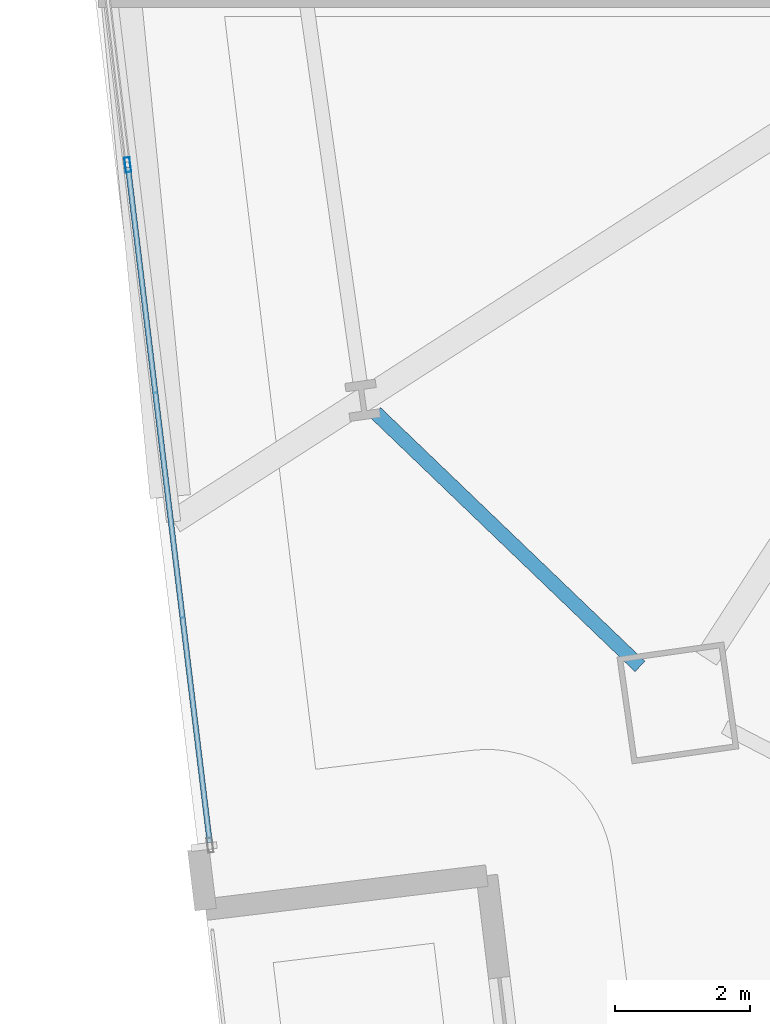
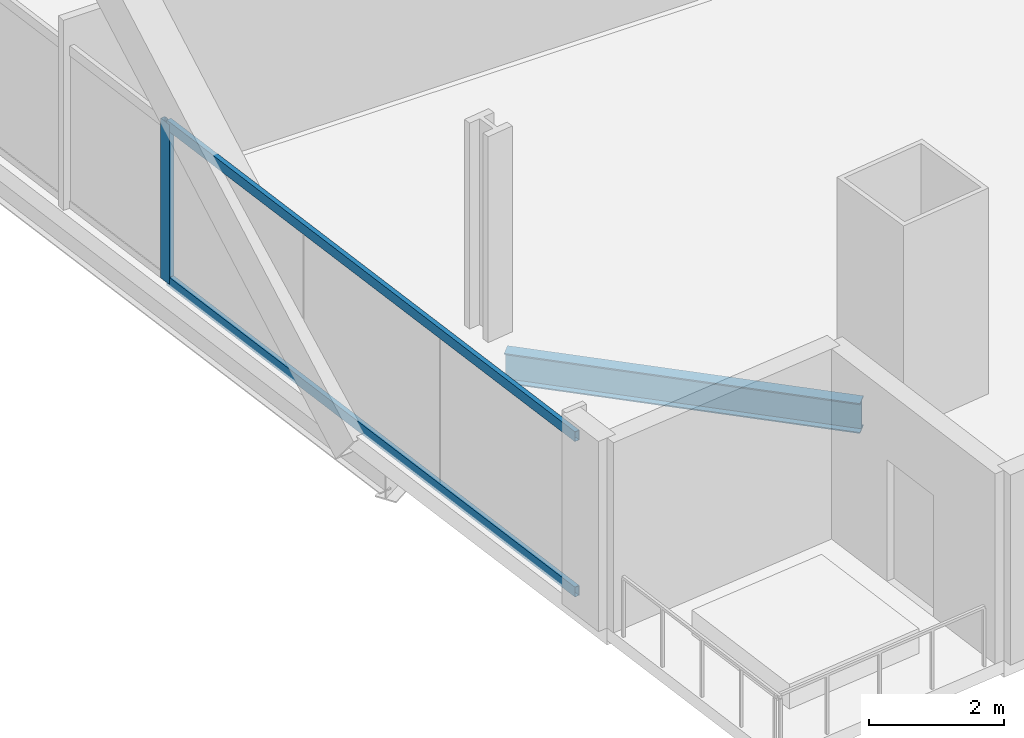
# One storey, part 3 of 33: 3 members, 1 beam, 1 element without a shape of its own.
"""IFC4 building model written with IfcOpenShell, lengths in metres."""

from ifc_helpers import new_model, si_unit, direction, frame, origin, origin_2d, place, context, subcontext, project, spatial, hollow_rectangle, i_section, extrude, material, material_profile, profile_set, type_object, element, aggregate, save


model = new_model("IFC4")

# Units and contexts
model_context = context("Model", 3, precision=1e-05, world=origin(), true_north=direction((0.0, 1.0)))
body_context = subcontext(model_context, "Body", "Model", "MODEL_VIEW")
ifc_project = project(units=[si_unit("LENGTHUNIT", "METRE"), si_unit("AREAUNIT", "SQUARE_METRE"), si_unit("VOLUMEUNIT", "CUBIC_METRE"), si_unit("PLANEANGLEUNIT", "RADIAN"), si_unit("MASSUNIT", "GRAM", prefix="KILO")], contexts=[model_context])

# Site, building, storey
site_placement = place(None, origin())
site = spatial("IfcSite", under=ifc_project, at=site_placement, CompositionType="ELEMENT")
building_placement = place(site_placement, origin())
building = spatial("IfcBuilding", under=site, at=building_placement, Name="Haldenkirk Collegiate Tower", CompositionType="ELEMENT")
storey_placement = place(building_placement, frame((0.0, 0.0, 51.449951171875)))
storey = spatial("IfcBuildingStorey", under=building, at=storey_placement, Name="L11", CompositionType="ELEMENT", Elevation=51.449951171875)

# Beam
ifc_material_1 = material(Name="Steel ASTM A992 Grade 50", Category="steel")
ifc_material_profile_1 = material_profile(ifc_material_1, i_section(OverallWidth=0.2119140625, OverallDepth=0.5439453125, WebThickness=0.01318359375, FlangeThickness=0.021240234375, at=origin_2d()), Name="W21X83")
ifc_profile_set_1 = profile_set([ifc_material_profile_1], Name="Steel ASTM A992 Grade 50")
beam_type = type_object("IfcBeamType", Name="BM-SPANDREL-W21X83", PredefinedType="SPANDREL", material=ifc_profile_set_1)
beam_placement = place(storey_placement, frame((14.212890625, 9.47412109375, -0.58203125), z_axis=(0.721492362326, -0.692422393561, 0.0), x_axis=(0.692422393561, 0.721492362326, 0.0)))
element("IfcBeam", 1, at=beam_placement, inside=storey, type_object=beam_type, Name="L11 perimeter spandrel beam 16", PredefinedType="SPANDREL", context=body_context, shape_type="SweptSolid", body=[
    extrude(i_section(OverallWidth=0.2119140625, OverallDepth=0.5439453125, WebThickness=0.01318359375, FlangeThickness=0.021240234375, at=origin_2d()), origin(), (0.0, 0.0, 1.0), 5.433837890625),
])

# Curtain wall, members
ifc_material_2 = material(Name="Anodised architectural bronze aluminium", Category="aluminium")
curtain_wall_type = type_object("IfcCurtainWallType", Name="CW-SYS1-CONVEX-LOW", PredefinedType="USERDEFINED", material=ifc_material_2)
curtain_wall_placement = place(storey_placement, origin())
curtain_wall = element("IfcCurtainWall", 2, at=curtain_wall_placement, inside=storey, type_object=curtain_wall_type, Name="L11 Lower tower convex bronze-framed unitised curtain wall", ObjectType="UNITISED CURTAIN WALL", PredefinedType="USERDEFINED")
ifc_material_profile_2 = material_profile(ifc_material_2, hollow_rectangle(XDim=0.080078125, YDim=0.219970703125, WallThickness=0.0048828125, at=origin_2d()), Name="CW-MUL-1A")
ifc_profile_set_2 = profile_set([ifc_material_profile_2], Name="Anodised architectural bronze aluminium")
member_type_1 = type_object("IfcMemberType", Name="CW-MUL-1A", PredefinedType="MULLION", material=ifc_profile_set_2)
member_1_placement = place(storey_placement, frame((10.53955078125, 13.148193359375, 0.0), z_axis=(0.0, 0.0, 1.0), x_axis=(-0.992757257091, -0.120137539898, 0.0)))
member_1 = element("IfcMember", 3, at=member_1_placement, type_object=member_type_1, Name="CW-1A mullion 2", PredefinedType="MULLION", context=body_context, shape_type="SweptSolid", body=[
    extrude(hollow_rectangle(XDim=0.080078125, YDim=0.219970703125, WallThickness=0.0048828125, at=origin_2d()), origin(), (0.0, 0.0, 1.0), 2.89111328125),
])
ifc_material_profile_3 = material_profile(ifc_material_2, hollow_rectangle(XDim=0.080078125, YDim=0.179931640625, WallThickness=0.0048828125, at=origin_2d()), Name="CW-TRN-1A")
ifc_profile_set_3 = profile_set([ifc_material_profile_3], Name="Anodised architectural bronze aluminium")
member_type_2 = type_object("IfcMemberType", Name="CW-TRN-1A", PredefinedType="USERDEFINED", material=ifc_profile_set_3)
member_2_placement = place(storey_placement, frame((11.75537109375, 3.1015625, 0.0400390625), z_axis=(-0.120134618634, 0.992757610601, 0.0), x_axis=(-0.992757610601, -0.120134618634, 0.0)))
member_2 = element("IfcMember", 4, at=member_2_placement, type_object=member_type_2, Name="CW-1A transom 1.1", ObjectType="TRANSOM", PredefinedType="USERDEFINED", context=body_context, shape_type="SweptSolid", body=[
    extrude(hollow_rectangle(XDim=0.080078125, YDim=0.179931640625, WallThickness=0.0048828125, at=origin_2d()), origin(), (0.0, 0.0, 1.0), 10.079833984375),
])
member_3_placement = place(storey_placement, frame((11.75537109375, 3.1015625, 2.85107421875), z_axis=(-0.120134618634, 0.992757610601, 0.0), x_axis=(-0.992757610601, -0.120134618634, 0.0)))
member_3 = element("IfcMember", 5, at=member_3_placement, type_object=member_type_2, Name="CW-1A transom 1.2", ObjectType="TRANSOM", PredefinedType="USERDEFINED", context=body_context, shape_type="SweptSolid", body=[
    extrude(hollow_rectangle(XDim=0.080078125, YDim=0.179931640625, WallThickness=0.0048828125, at=origin_2d()), origin(), (0.0, 0.0, 1.0), 10.079833984375),
])
aggregate(curtain_wall, [member_1, member_2, member_3])

save(model, "model.ifc")
